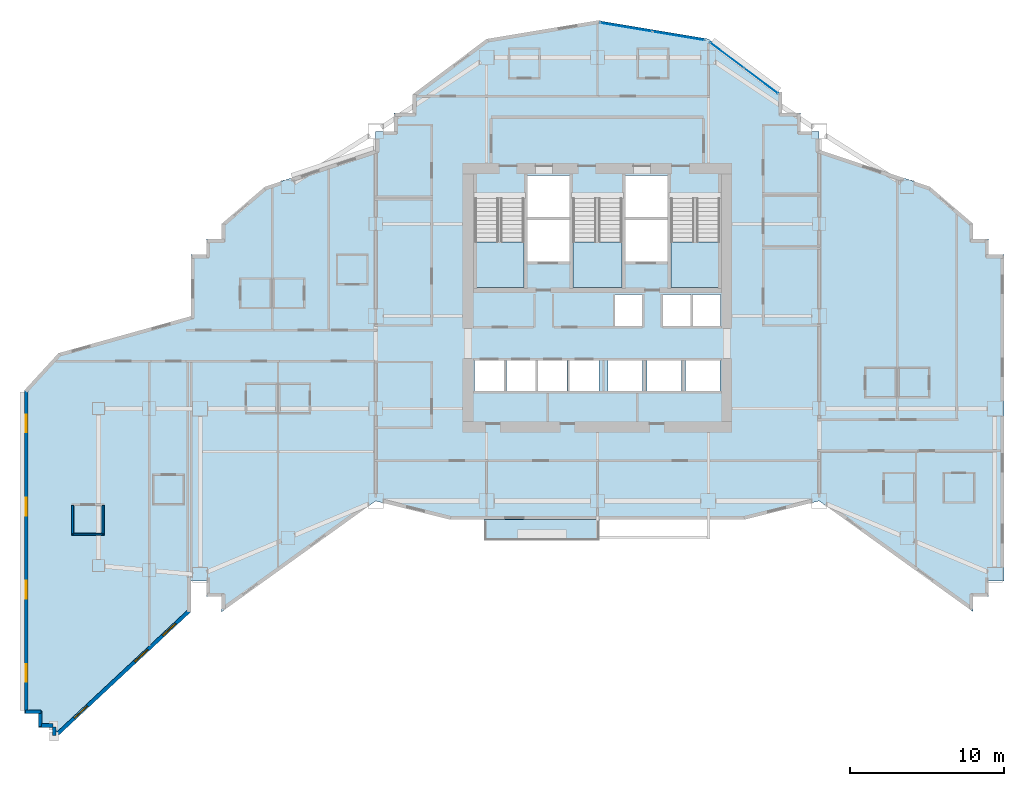
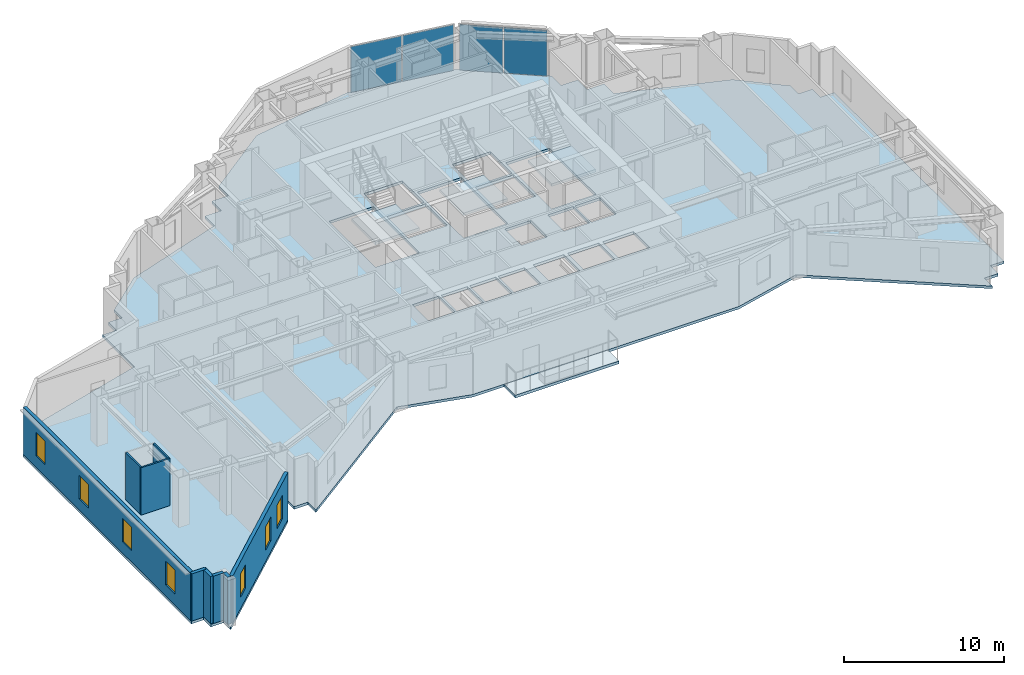
# One storey, part 6 of 14: 9 walls, 7 windows, 5 slabs, 4 plates, 7 openings, 5 elements without a shape of their own.
"""IFC4 building model written with IfcOpenShell, lengths in metres."""

from ifc_helpers import new_model, si_unit, direction, frame, frame_2d, origin, origin_2d, place, context, subcontext, project, spatial, polyline, rectangle, outline, extrude, material, layer, layer_set, type_object, element, fill, aggregate, save


model = new_model("IFC4")

# Units and contexts
model_context = context("Model", 3, precision=1e-05, world=origin(), true_north=direction((0.0, 1.0)))
body_context = subcontext(model_context, "Body", "Model", "MODEL_VIEW")
ifc_project = project(units=[si_unit("LENGTHUNIT", "METRE"), si_unit("AREAUNIT", "SQUARE_METRE"), si_unit("VOLUMEUNIT", "CUBIC_METRE"), si_unit("PLANEANGLEUNIT", "RADIAN"), si_unit("MASSUNIT", "GRAM", prefix="KILO")], contexts=[model_context])

# Site, building, storey
site_placement = place(None, origin())
site = spatial("IfcSite", under=ifc_project, at=site_placement, CompositionType="ELEMENT")
building_placement = place(site_placement, origin())
building = spatial("IfcBuilding", under=site, at=building_placement, Name="Haolan Belvedere Tower", CompositionType="ELEMENT")
storey_placement = place(building_placement, frame((0.0, 0.0, 148.60009765625)))
storey = spatial("IfcBuildingStorey", under=building, at=storey_placement, Name="L37", CompositionType="ELEMENT", Elevation=148.60009765625)

# Curtain wall, plates
ifc_material_1 = material(Name="Anodised champagne-silver aluminium 6063-T6 and Low-E glass", Category="aluminium")
ifc_layer_1 = layer(ifc_material_1, 0.155029296875, Name="Anodised champagne-silver aluminium 6063-T6 and Low-E glass")
ifc_layer_set_1 = layer_set([ifc_layer_1], Name="Anodised champagne-silver aluminium 6063-T6 and Low-E glass")
curtain_wall_type = type_object("IfcCurtainWallType", Name="CW-SYS-03", PredefinedType="NOTDEFINED", material=ifc_layer_set_1)
curtain_wall_1_placement = place(storey_placement, origin())
curtain_wall_1 = element("IfcCurtainWall", 1, at=curtain_wall_1_placement, inside=storey, type_object=curtain_wall_type, Name="L37 CW-SYS-03 ribbon curtain wall 26.1", PredefinedType="NOTDEFINED")
ifc_material_2 = material(Name="Double silver Low-E laminated insulating glass", Category="glass")
ifc_layer_2 = layer(ifc_material_2, 0.02392578125, Name="Double silver Low-E laminated insulating glass")
ifc_layer_set_2 = layer_set([ifc_layer_2], Name="Double silver Low-E laminated insulating glass")
plate_type = type_object("IfcPlateType", Name="CW-SYS-03-PNL", PredefinedType="CURTAIN_PANEL", material=ifc_layer_set_2)
plate_1_placement = place(storey_placement, frame((49.0302734375, 48.877197265625, 0.0537109375), z_axis=(0.0, 0.0, 1.0), x_axis=(-0.800004262313, 0.599994316874, 0.0)))
plate_1 = element("IfcPlate", 2, at=plate_1_placement, type_object=plate_type, Name="CW-03 panel 1.1", PredefinedType="CURTAIN_PANEL", context=body_context, shape_type="SweptSolid", body=[
    extrude(rectangle(XDim=2.728271484375, YDim=0.02392578125, at=origin_2d()), origin(), (0.0, 0.0, 1.0), 3.491943359375),
])
plate_2_placement = place(storey_placement, frame((46.80126953125, 50.549072265625, 0.0537109375), z_axis=(0.0, 0.0, 1.0), x_axis=(-0.800004262313, 0.599994316874, 0.0)))
plate_2 = element("IfcPlate", 3, at=plate_2_placement, type_object=plate_type, Name="CW-03 panel 2.1", PredefinedType="CURTAIN_PANEL", context=body_context, shape_type="SweptSolid", body=[
    extrude(rectangle(XDim=2.728271484375, YDim=0.02392578125, at=origin_2d()), origin(), (0.0, 0.0, 1.0), 3.491943359375),
])
aggregate(curtain_wall_1, [plate_1, plate_2])

curtain_wall_2_placement = place(storey_placement, origin())
curtain_wall_2 = element("IfcCurtainWall", 4, at=curtain_wall_2_placement, inside=storey, type_object=curtain_wall_type, Name="L37 CW-SYS-03 ribbon curtain wall 27.1", PredefinedType="NOTDEFINED")
plate_3_placement = place(storey_placement, frame((43.68017578125, 51.79833984375, 0.0537109375), z_axis=(0.0, 0.0, 1.0), x_axis=(-0.9863931483, 0.16440364043, 0.0)))
plate_3 = element("IfcPlate", 5, at=plate_3_placement, type_object=plate_type, Name="CW-03 panel 1.1", PredefinedType="CURTAIN_PANEL", context=body_context, shape_type="SweptSolid", body=[
    extrude(rectangle(XDim=3.39794921875, YDim=0.02392578125, at=origin_2d()), origin(), (0.0, 0.0, 1.0), 3.491943359375),
])
plate_4_placement = place(storey_placement, frame((40.271240234375, 52.366455078125, 0.0537109375), z_axis=(0.0, 0.0, 1.0), x_axis=(-0.9863931483, 0.16440364043, 0.0)))
plate_4 = element("IfcPlate", 6, at=plate_4_placement, type_object=plate_type, Name="CW-03 panel 2.1", PredefinedType="CURTAIN_PANEL", context=body_context, shape_type="SweptSolid", body=[
    extrude(rectangle(XDim=3.39794921875, YDim=0.02392578125, at=origin_2d()), origin(), (0.0, 0.0, 1.0), 3.491943359375),
])
aggregate(curtain_wall_2, [plate_3, plate_4])

# Slabs
ifc_material_3 = material(Name="Concrete C40/50", Category="concrete")
ifc_layer_3 = layer(ifc_material_3, 0.2099609375, Name="Concrete C40/50")
ifc_layer_set_3 = layer_set([ifc_layer_3], Name="Concrete C40/50")
slab_type_1 = type_object("IfcSlabType", Name="SL-BAL-210", PredefinedType="FLOOR", material=ifc_layer_set_3)
slab_1_placement = place(storey_placement, frame((0.0, 0.0, -0.22998046875)))
element("IfcSlab", 7, at=slab_1_placement, inside=storey, type_object=slab_type_1, Name="L37 structural tree-planter balcony slab BAL-L37-S1", PredefinedType="FLOOR", context=body_context, shape_type="SweptSolid", body=[
    extrude(outline(polyline([(31.050048828125, 19.02001953125), (38.550048828125, 19.02001953125), (38.550048828125, 20.39990234375), (31.050048828125, 20.39990234375), (31.050048828125, 19.02001953125)])), origin(), (0.0, 0.0, 1.0), 0.2099609375),
])
ifc_layer_4 = layer(ifc_material_3, 0.199951171875, Name="Concrete C40/50")
ifc_layer_set_4 = layer_set([ifc_layer_4], Name="Concrete C40/50")
slab_type_2 = type_object("IfcSlabType", Name="SL-FLR-200", PredefinedType="FLOOR", material=ifc_layer_set_4)
slab_2_placement = place(storey_placement, frame((0.0, 0.0, -0.2001953125)))
element("IfcSlab", 8, at=slab_2_placement, inside=storey, type_object=slab_type_2, Name="L37 structural floor slab", PredefinedType="FLOOR", context=body_context, shape_type="SweptSolid", body=[
    extrude(outline(polyline([(12.0, 14.39990234375), (12.0, 16.39990234375), (13.0, 16.39990234375), (13.0, 15.39990234375), (14.0, 15.39990234375), (14.0, 14.39990234375), (24.0, 21.60009765625), (28.800048828125, 20.39990234375), (48.0, 20.39990234375), (52.800048828125, 21.60009765625), (62.800048828125, 14.39990234375), (62.800048828125, 15.39990234375), (63.800048828125, 15.39990234375), (63.800048828125, 16.39990234375), (64.800048828125, 16.39990234375), (64.800048828125, 37.60009765625), (63.800048828125, 37.60009765625), (63.800048828125, 38.60009765625), (62.800048828125, 38.60009765625), (62.800048828125, 39.60009765625), (60.0, 42.0), (52.800048828125, 44.39990234375), (52.800048828125, 45.60009765625), (51.60009765625, 45.60009765625), (51.60009765625, 46.800048828125), (50.39990234375, 46.800048828125), (50.39990234375, 48.0), (45.60009765625, 51.60009765625), (38.39990234375, 52.800048828125), (31.199951171875, 51.60009765625), (26.39990234375, 48.0), (26.39990234375, 46.800048828125), (25.199951171875, 46.800048828125), (25.199951171875, 45.60009765625), (24.0, 45.60009765625), (24.0, 44.39990234375), (16.800048828125, 42.0), (14.0, 39.60009765625), (14.0, 38.60009765625), (13.0, 38.60009765625), (13.0, 37.60009765625), (12.0, 37.60009765625), (12.0, 33.60009765625), (3.39990234375, 31.199951171875), (1.199951171875, 28.800048828125), (1.199951171875, 8.39990234375), (1.199951171875, 7.800048828125), (2.10009765625, 7.800048828125), (2.10009765625, 6.89990234375), (3.0, 6.89990234375), (3.0, 6.0), (12.0, 14.39990234375)]), holes=[polyline([(30.449951171875, 41.22998046875), (30.449951171875, 35.449951171875), (33.6298828125, 35.449951171875), (33.6298828125, 41.22998046875), (30.449951171875, 41.22998046875)]), polyline([(36.81005859375, 41.22998046875), (36.81005859375, 35.449951171875), (39.989990234375, 35.449951171875), (39.989990234375, 41.22998046875), (36.81005859375, 41.22998046875)]), polyline([(43.169921875, 41.22998046875), (43.169921875, 35.449951171875), (46.35009765625, 35.449951171875), (46.35009765625, 41.22998046875), (43.169921875, 41.22998046875)]), polyline([(33.830078125, 40.050048828125), (36.610107421875, 40.050048828125), (36.610107421875, 42.75), (33.830078125, 42.75), (33.830078125, 40.050048828125)]), polyline([(33.830078125, 37.14990234375), (36.610107421875, 37.14990234375), (36.610107421875, 39.85009765625), (33.830078125, 39.85009765625), (33.830078125, 37.14990234375)]), polyline([(40.18994140625, 40.050048828125), (42.969970703125, 40.050048828125), (42.969970703125, 42.75), (40.18994140625, 42.75), (40.18994140625, 40.050048828125)]), polyline([(40.18994140625, 37.14990234375), (42.969970703125, 37.14990234375), (42.969970703125, 39.85009765625), (40.18994140625, 39.85009765625), (40.18994140625, 37.14990234375)]), polyline([(39.5400390625, 32.949951171875), (41.389892578125, 32.949951171875), (41.389892578125, 35.0), (39.5400390625, 35.0), (39.5400390625, 32.949951171875)]), polyline([(42.6201171875, 32.949951171875), (44.469970703125, 32.949951171875), (44.469970703125, 35.0), (42.6201171875, 35.0), (42.6201171875, 32.949951171875)]), polyline([(44.580078125, 32.949951171875), (46.3798828125, 32.949951171875), (46.3798828125, 35.0), (44.580078125, 35.0), (44.580078125, 32.949951171875)]), polyline([(30.419921875, 28.75), (32.320068359375, 28.75), (32.320068359375, 30.75), (30.419921875, 30.75), (30.419921875, 28.75)]), polyline([(32.47998046875, 28.75), (34.3798828125, 28.75), (34.3798828125, 30.75), (32.47998046875, 30.75), (32.47998046875, 28.75)]), polyline([(34.5400390625, 28.75), (36.43994140625, 28.75), (36.43994140625, 30.75), (34.5400390625, 30.75), (34.5400390625, 28.75)]), polyline([(36.60009765625, 28.75), (38.5, 28.75), (38.5, 30.75), (36.60009765625, 30.75), (36.60009765625, 28.75)]), polyline([(39.10009765625, 28.75), (41.340087890625, 28.75), (41.340087890625, 30.75), (39.10009765625, 30.75), (39.10009765625, 28.75)]), polyline([(41.610107421875, 28.75), (43.85009765625, 28.75), (43.85009765625, 30.75), (41.610107421875, 30.75), (41.610107421875, 28.75)]), polyline([(44.1201171875, 28.75), (46.360107421875, 28.75), (46.360107421875, 30.75), (44.1201171875, 30.75), (44.1201171875, 28.75)])]), origin(), (0.0, 0.0, 1.0), 0.2001953125),
])

# Stair, slab
stair_type = type_object("IfcStairType", Name="STR-DL-22R-173", PredefinedType="HALF_TURN_STAIR", material=ifc_material_3)
stair_1_placement = place(storey_placement, origin())
stair_1 = element("IfcStair", 9, at=stair_1_placement, inside=storey, type_object=stair_type, Name="L37 Smokeproof Core Exit Stair ST1", PredefinedType="HALF_TURN_STAIR")
ifc_layer_5 = layer(ifc_material_3, 0.199951171875, Name="Concrete C40/50")
ifc_layer_set_5 = layer_set([ifc_layer_5], Name="Concrete C40/50")
slab_type_3 = type_object("IfcSlabType", Name="SL-LAND-200", PredefinedType="LANDING", material=ifc_layer_set_5)
slab_3_placement = place(storey_placement, frame((0.0, 0.0, 1.699951171875)))
slab_3 = element("IfcSlab", 10, at=slab_3_placement, type_object=slab_type_3, Name="ST1 landing 1", PredefinedType="LANDING", context=body_context, shape_type="SweptSolid", body=[
    extrude(outline(polyline([(30.449951171875, 38.429931640625), (30.449951171875, 35.449951171875), (33.6298828125, 35.449951171875), (33.6298828125, 38.429931640625), (30.449951171875, 38.429931640625)])), origin(), (0.0, 0.0, 1.0), 0.199951171875),
])
aggregate(stair_1, [slab_3])

stair_2_placement = place(storey_placement, origin())
stair_2 = element("IfcStair", 11, at=stair_2_placement, inside=storey, type_object=stair_type, Name="L37 Smokeproof Core Exit Stair ST3", PredefinedType="HALF_TURN_STAIR")
slab_4_placement = place(storey_placement, frame((0.0, 0.0, 1.699951171875)))
slab_4 = element("IfcSlab", 12, at=slab_4_placement, type_object=slab_type_3, Name="ST3 landing 1", PredefinedType="LANDING", context=body_context, shape_type="SweptSolid", body=[
    extrude(outline(polyline([(36.81005859375, 38.429931640625), (36.81005859375, 35.449951171875), (39.989990234375, 35.449951171875), (39.989990234375, 38.429931640625), (36.81005859375, 38.429931640625)])), origin(), (0.0, 0.0, 1.0), 0.199951171875),
])
aggregate(stair_2, [slab_4])

stair_3_placement = place(storey_placement, origin())
stair_3 = element("IfcStair", 13, at=stair_3_placement, inside=storey, type_object=stair_type, Name="L37 Smokeproof Core Exit Stair ST2", PredefinedType="HALF_TURN_STAIR")
slab_5_placement = place(storey_placement, frame((0.0, 0.0, 1.699951171875)))
slab_5 = element("IfcSlab", 14, at=slab_5_placement, type_object=slab_type_3, Name="ST2 landing 1", PredefinedType="LANDING", context=body_context, shape_type="SweptSolid", body=[
    extrude(outline(polyline([(43.169921875, 38.429931640625), (43.169921875, 35.449951171875), (46.35009765625, 35.449951171875), (46.35009765625, 38.429931640625), (43.169921875, 38.429931640625)])), origin(), (0.0, 0.0, 1.0), 0.199951171875),
])
aggregate(stair_3, [slab_5])

# Wall, openings, windows
ifc_material_4 = material(Name="Precast concrete C40/50", Category="concrete")
ifc_layer_6 = layer(ifc_material_4, 0.239990234375, Name="Precast concrete C40/50")
ifc_layer_set_6 = layer_set([ifc_layer_6], Name="Precast concrete C40/50")
wall_type_1 = type_object("IfcWallType", Name="WL-EXT-240", PredefinedType="SOLIDWALL", material=ifc_layer_set_6)
wall_1_placement = place(storey_placement, frame((1.320068359375, 28.808349609375, 0.0), z_axis=(0.0, 0.0, 1.0), x_axis=(0.0, -1.0, 0.0)))
wall_1 = element("IfcWall", 15, at=wall_1_placement, inside=storey, type_object=wall_type_1, Name="L37 pale-metal exterior spandrel wall 44.1", PredefinedType="SOLIDWALL", context=body_context, shape_type="SweptSolid", body=[
    extrude(rectangle(XDim=20.943359375, YDim=0.239990234375, at=frame_2d((10.4716796875, 0.0))), origin(), (0.0, 0.0, 1.0), 3.599853515625),
])
opening_1_placement = place(wall_1_placement, frame((1.60009765625, 0.0, 0.85009765625)))
opening_1 = element("IfcOpeningElement", 16, at=opening_1_placement, cuts=wall_1, Name="Opening W-02", PredefinedType="OPENING", context=body_context, shape_type="SweptSolid", body=[
    extrude(rectangle(XDim=1.14990234375, YDim=1.800048828125, at=frame_2d((0.574951171875, 0.89990234375))), frame((0.0, 0.1298828125, 0.0), z_axis=(0.0, -1.0, 0.0), x_axis=(1.0, 0.0, 0.0)), (0.0, 0.0, 1.0), 0.260009765625),
])
opening_2_placement = place(wall_1_placement, frame((7.0, 0.0, 0.85009765625)))
opening_2 = element("IfcOpeningElement", 17, at=opening_2_placement, cuts=wall_1, Name="Opening W-02", PredefinedType="OPENING", context=body_context, shape_type="SweptSolid", body=[
    extrude(rectangle(XDim=1.14990234375, YDim=1.800048828125, at=frame_2d((0.574951171875, 0.89990234375))), frame((0.0, 0.1298828125, 0.0), z_axis=(0.0, -1.0, 0.0), x_axis=(1.0, 0.0, 0.0)), (0.0, 0.0, 1.0), 0.260009765625),
])
opening_3_placement = place(wall_1_placement, frame((12.39990234375, 0.0, 0.85009765625)))
opening_3 = element("IfcOpeningElement", 18, at=opening_3_placement, cuts=wall_1, Name="Opening W-02", PredefinedType="OPENING", context=body_context, shape_type="SweptSolid", body=[
    extrude(rectangle(XDim=1.14990234375, YDim=1.800048828125, at=frame_2d((0.574951171875, 0.89990234375))), frame((0.0, 0.1298828125, 0.0), z_axis=(0.0, -1.0, 0.0), x_axis=(1.0, 0.0, 0.0)), (0.0, 0.0, 1.0), 0.260009765625),
])
opening_4_placement = place(wall_1_placement, frame((17.800048828125, 0.0, 0.85009765625)))
opening_4 = element("IfcOpeningElement", 19, at=opening_4_placement, cuts=wall_1, Name="Opening W-02", PredefinedType="OPENING", context=body_context, shape_type="SweptSolid", body=[
    extrude(rectangle(XDim=1.14990234375, YDim=1.800048828125, at=frame_2d((0.574951171875, 0.89990234375))), frame((0.0, 0.1298828125, 0.0), z_axis=(0.0, -1.0, 0.0), x_axis=(1.0, 0.0, 0.0)), (0.0, 0.0, 1.0), 0.260009765625),
])
ifc_material_5 = material(Name="Anodised aluminium 6063-T6 and Low-E glass", Category="aluminium")
window_type = type_object("IfcWindowType", Name="WN-DECO-Z2", PartitioningType="SINGLE_PANEL", PredefinedType="WINDOW", material=ifc_material_5)
window_1_placement = place(opening_1_placement, origin())
window_1 = element("IfcWindow", 20, at=window_1_placement, inside=storey, type_object=window_type, Name="L37 Art Deco chevron window 1", OverallHeight=1.800048828125, OverallWidth=1.14990234375, PartitioningType="SINGLE_PANEL", PredefinedType="WINDOW", context=body_context, shape_type="SweptSolid", body=[
    extrude(rectangle(XDim=1.14990234375, YDim=1.800048828125, at=frame_2d((0.574951171875, 0.89990234375))), frame((0.0, 0.030029296875, 0.0), z_axis=(0.0, -1.0, 0.0), x_axis=(1.0, 0.0, 0.0)), (0.0, 0.0, 1.0), 0.06005859375),
])
fill(opening_1, window_1)
window_2_placement = place(opening_2_placement, origin())
window_2 = element("IfcWindow", 21, at=window_2_placement, inside=storey, type_object=window_type, Name="L37 Art Deco chevron window 2", OverallHeight=1.800048828125, OverallWidth=1.14990234375, PartitioningType="SINGLE_PANEL", PredefinedType="WINDOW", context=body_context, shape_type="SweptSolid", body=[
    extrude(rectangle(XDim=1.14990234375, YDim=1.800048828125, at=frame_2d((0.574951171875, 0.89990234375))), frame((0.0, 0.030029296875, 0.0), z_axis=(0.0, -1.0, 0.0), x_axis=(1.0, 0.0, 0.0)), (0.0, 0.0, 1.0), 0.06005859375),
])
fill(opening_2, window_2)
window_3_placement = place(opening_3_placement, origin())
window_3 = element("IfcWindow", 22, at=window_3_placement, inside=storey, type_object=window_type, Name="L37 Art Deco chevron window 3", OverallHeight=1.800048828125, OverallWidth=1.14990234375, PartitioningType="SINGLE_PANEL", PredefinedType="WINDOW", context=body_context, shape_type="SweptSolid", body=[
    extrude(rectangle(XDim=1.14990234375, YDim=1.800048828125, at=frame_2d((0.574951171875, 0.89990234375))), frame((0.0, 0.030029296875, 0.0), z_axis=(0.0, -1.0, 0.0), x_axis=(1.0, 0.0, 0.0)), (0.0, 0.0, 1.0), 0.06005859375),
])
fill(opening_3, window_3)
window_4_placement = place(opening_4_placement, origin())
window_4 = element("IfcWindow", 23, at=window_4_placement, inside=storey, type_object=window_type, Name="L37 Art Deco chevron window 4", OverallHeight=1.800048828125, OverallWidth=1.14990234375, PartitioningType="SINGLE_PANEL", PredefinedType="WINDOW", context=body_context, shape_type="SweptSolid", body=[
    extrude(rectangle(XDim=1.14990234375, YDim=1.800048828125, at=frame_2d((0.574951171875, 0.89990234375))), frame((0.0, 0.030029296875, 0.0), z_axis=(0.0, -1.0, 0.0), x_axis=(1.0, 0.0, 0.0)), (0.0, 0.0, 1.0), 0.06005859375),
])
fill(opening_4, window_4)

# Walls
for number, where, z_axis, x_axis, name in (
    (24, (1.264892578125, 7.919921875, 0.0), (0.0, 0.0, 1.0), (1.0, 0.0, 0.0), "L37 pale-metal exterior spandrel wall 45.1"),
    (25, (2.219970703125, 7.97509765625, 0.0), (0.0, 0.0, 1.0), (0.0, -1.0, 0.0), "L37 pale-metal exterior spandrel wall 46.1"),
):
    element("IfcWall", number, at=place(storey_placement, frame(where, z_axis=z_axis, x_axis=x_axis)), inside=storey, type_object=wall_type_1, Name=name, PredefinedType="SOLIDWALL", context=body_context, shape_type="SweptSolid", body=[
        extrude(rectangle(XDim=1.010009765625, YDim=0.239990234375, at=frame_2d((0.5048828125, 0.0))), origin(), (0.0, 0.0, 1.0), 3.599853515625),
    ])
wall_2_placement = place(storey_placement, frame((2.300048828125, 7.02001953125, 0.0), z_axis=(0.0, 0.0, 1.0), x_axis=(1.0, 0.0, 0.0)))
element("IfcWall", 26, at=wall_2_placement, inside=storey, type_object=wall_type_1, Name="L37 pale-metal exterior spandrel wall 47.1", PredefinedType="SOLIDWALL", context=body_context, shape_type="SweptSolid", body=[
    extrude(rectangle(XDim=0.73486328125, YDim=0.239990234375, at=frame_2d((0.367431640625, 0.0))), origin(), (0.0, 0.0, 1.0), 3.599853515625),
])
wall_3_placement = place(storey_placement, frame((3.1201171875, 6.93505859375, 0.0), z_axis=(0.0, 0.0, 1.0), x_axis=(0.0, -1.0, 0.0)))
element("IfcWall", 27, at=wall_3_placement, inside=storey, type_object=wall_type_1, Name="L37 pale-metal exterior spandrel wall 48.1", PredefinedType="SOLIDWALL", context=body_context, shape_type="SweptSolid", body=[
    extrude(rectangle(XDim=0.573974609375, YDim=0.239990234375, at=frame_2d((0.287109375, 0.0))), origin(), (0.0, 0.0, 1.0), 3.599853515625),
])

# Wall, openings, windows
wall_4_placement = place(storey_placement, frame((3.269775390625, 6.416015625, 0.0), z_axis=(0.0, 0.0, 1.0), x_axis=(0.731064187858, 0.682308693505, 0.0)))
wall_4 = element("IfcWall", 28, at=wall_4_placement, inside=storey, type_object=wall_type_1, Name="L37 pale-metal exterior spandrel wall 49.1", PredefinedType="SOLIDWALL", context=body_context, shape_type="SweptSolid", body=[
    extrude(rectangle(XDim=11.83251953125, YDim=0.239990234375, at=frame_2d((5.916259765625, 0.0))), origin(), (0.0, 0.0, 1.0), 3.599853515625),
])
opening_5_placement = place(wall_4_placement, frame((1.60009765625, 0.0, 0.85009765625)))
opening_5 = element("IfcOpeningElement", 29, at=opening_5_placement, cuts=wall_4, Name="Opening W-02", PredefinedType="OPENING", context=body_context, shape_type="SweptSolid", body=[
    extrude(rectangle(XDim=1.14990234375, YDim=1.800048828125, at=frame_2d((0.574951171875, 0.89990234375))), frame((0.0, 0.1298828125, 0.0), z_axis=(0.0, -1.0, 0.0), x_axis=(1.0, 0.0, 0.0)), (0.0, 0.0, 1.0), 0.260009765625),
])
opening_6_placement = place(wall_4_placement, frame((6.96142578125, 0.0, 0.85009765625)))
opening_6 = element("IfcOpeningElement", 30, at=opening_6_placement, cuts=wall_4, Name="Opening W-02", PredefinedType="OPENING", context=body_context, shape_type="SweptSolid", body=[
    extrude(rectangle(XDim=1.14990234375, YDim=1.800048828125, at=frame_2d((0.574951171875, 0.89990234375))), frame((0.0, 0.1298828125, 0.0), z_axis=(0.0, -1.0, 0.0), x_axis=(1.0, 0.0, 0.0)), (0.0, 0.0, 1.0), 0.260009765625),
])
opening_7_placement = place(wall_4_placement, frame((9.44580078125, 0.0, 0.85009765625)))
opening_7 = element("IfcOpeningElement", 31, at=opening_7_placement, cuts=wall_4, Name="Opening W-02", PredefinedType="OPENING", context=body_context, shape_type="SweptSolid", body=[
    extrude(rectangle(XDim=1.14990234375, YDim=1.800048828125, at=frame_2d((0.574951171875, 0.89990234375))), frame((0.0, 0.1298828125, 0.0), z_axis=(0.0, -1.0, 0.0), x_axis=(1.0, 0.0, 0.0)), (0.0, 0.0, 1.0), 0.260009765625),
])
window_5_placement = place(opening_5_placement, origin())
window_5 = element("IfcWindow", 32, at=window_5_placement, inside=storey, type_object=window_type, Name="L37 Art Deco chevron window 1", OverallHeight=1.800048828125, OverallWidth=1.14990234375, PartitioningType="SINGLE_PANEL", PredefinedType="WINDOW", context=body_context, shape_type="SweptSolid", body=[
    extrude(rectangle(XDim=1.14990234375, YDim=1.800048828125, at=frame_2d((0.574951171875, 0.89990234375))), frame((0.0, 0.030029296875, 0.0), z_axis=(0.0, -1.0, 0.0), x_axis=(1.0, 0.0, 0.0)), (0.0, 0.0, 1.0), 0.06005859375),
])
fill(opening_5, window_5)
window_6_placement = place(opening_6_placement, origin())
window_6 = element("IfcWindow", 33, at=window_6_placement, inside=storey, type_object=window_type, Name="L37 Art Deco chevron window 2", OverallHeight=1.800048828125, OverallWidth=1.14990234375, PartitioningType="SINGLE_PANEL", PredefinedType="WINDOW", context=body_context, shape_type="SweptSolid", body=[
    extrude(rectangle(XDim=1.14990234375, YDim=1.800048828125, at=frame_2d((0.574951171875, 0.89990234375))), frame((0.0, 0.030029296875, 0.0), z_axis=(0.0, -1.0, 0.0), x_axis=(1.0, 0.0, 0.0)), (0.0, 0.0, 1.0), 0.06005859375),
])
fill(opening_6, window_6)
window_7_placement = place(opening_7_placement, origin())
window_7 = element("IfcWindow", 34, at=window_7_placement, inside=storey, type_object=window_type, Name="L37 Art Deco guestroom window 2", OverallHeight=1.800048828125, OverallWidth=1.14990234375, PartitioningType="SINGLE_PANEL", PredefinedType="WINDOW", context=body_context, shape_type="SweptSolid", body=[
    extrude(rectangle(XDim=1.14990234375, YDim=1.800048828125, at=frame_2d((0.574951171875, 0.89990234375))), frame((0.0, 0.030029296875, 0.0), z_axis=(0.0, -1.0, 0.0), x_axis=(1.0, 0.0, 0.0)), (0.0, 0.0, 1.0), 0.06005859375),
])
fill(opening_7, window_7)

# Walls
ifc_material_6 = material(Name="Moisture-resistant gypsum tile partition", Category="masonry")
ifc_layer_7 = layer(ifc_material_6, 0.1201171875, Name="Moisture-resistant gypsum tile partition")
ifc_layer_set_7 = layer_set([ifc_layer_7], Name="Moisture-resistant gypsum tile partition")
wall_type_2 = type_object("IfcWallType", Name="WL-WET-120", PredefinedType="PARTITIONING", material=ifc_layer_set_7)
wall_5_placement = place(storey_placement, frame((4.264892578125, 19.444091796875, 0.0), z_axis=(0.0, 0.0, 1.0), x_axis=(1.0, 0.0, 0.0)))
element("IfcWall", 35, at=wall_5_placement, inside=storey, type_object=wall_type_2, Name="L37 interior partition IW-L37-T1S1-BS", PredefinedType="PARTITIONING", context=body_context, shape_type="SweptSolid", body=[
    extrude(rectangle(XDim=2.10009765625, YDim=0.1201171875, at=frame_2d((1.050048828125, 0.0))), origin(), (0.0, 0.0, 1.0), 3.599853515625),
])
for number, where, z_axis, x_axis, name in (
    (36, (4.324951171875, 19.489013671875, 0.0), (0.0, 0.0, 1.0), (0.0, 1.0, 0.0), "L37 interior partition IW-L37-T1S1-BW"),
    (37, (6.304931640625, 19.489013671875, 0.0), (0.0, 0.0, 1.0), (0.0, 1.0, 0.0), "L37 interior partition IW-L37-T1S1-BE"),
):
    element("IfcWall", number, at=place(storey_placement, frame(where, z_axis=z_axis, x_axis=x_axis)), inside=storey, type_object=wall_type_2, Name=name, PredefinedType="PARTITIONING", context=body_context, shape_type="SweptSolid", body=[
        extrude(rectangle(XDim=1.830078125, YDim=0.1201171875, at=frame_2d((0.9150390625, 0.0))), origin(), (0.0, 0.0, 1.0), 3.599853515625),
    ])

save(model, "model.ifc")
